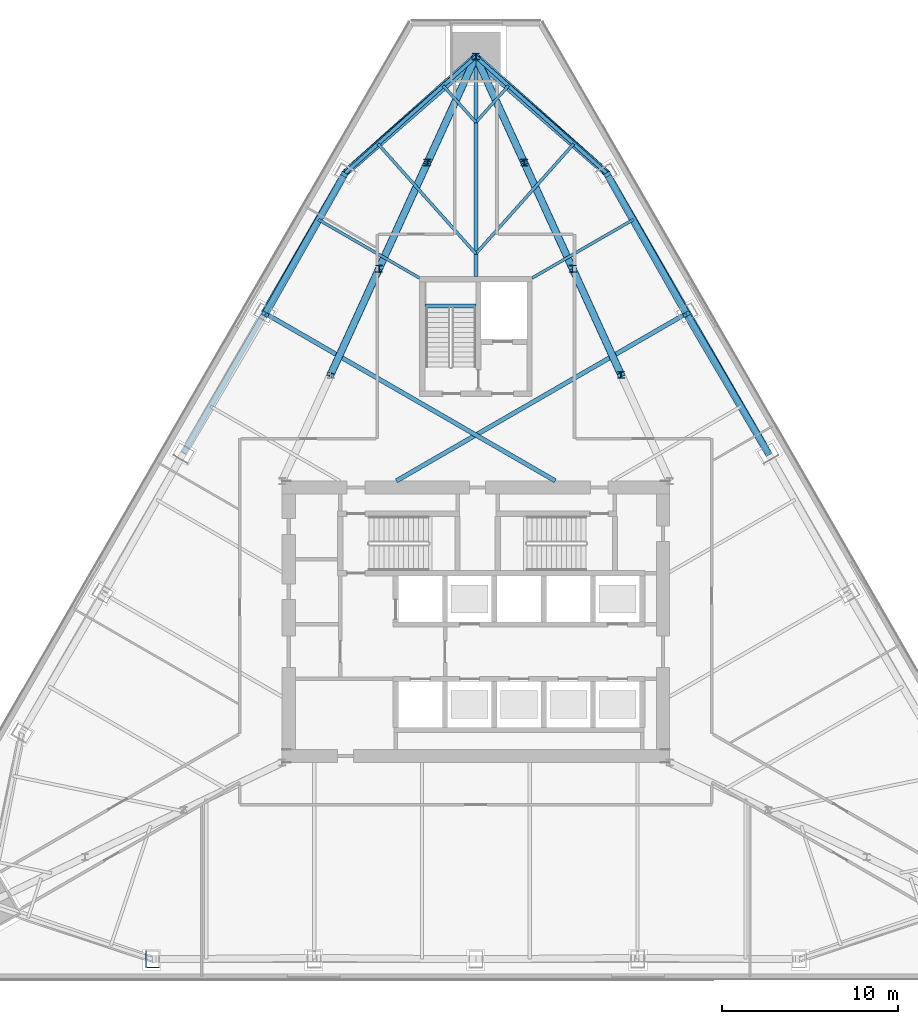
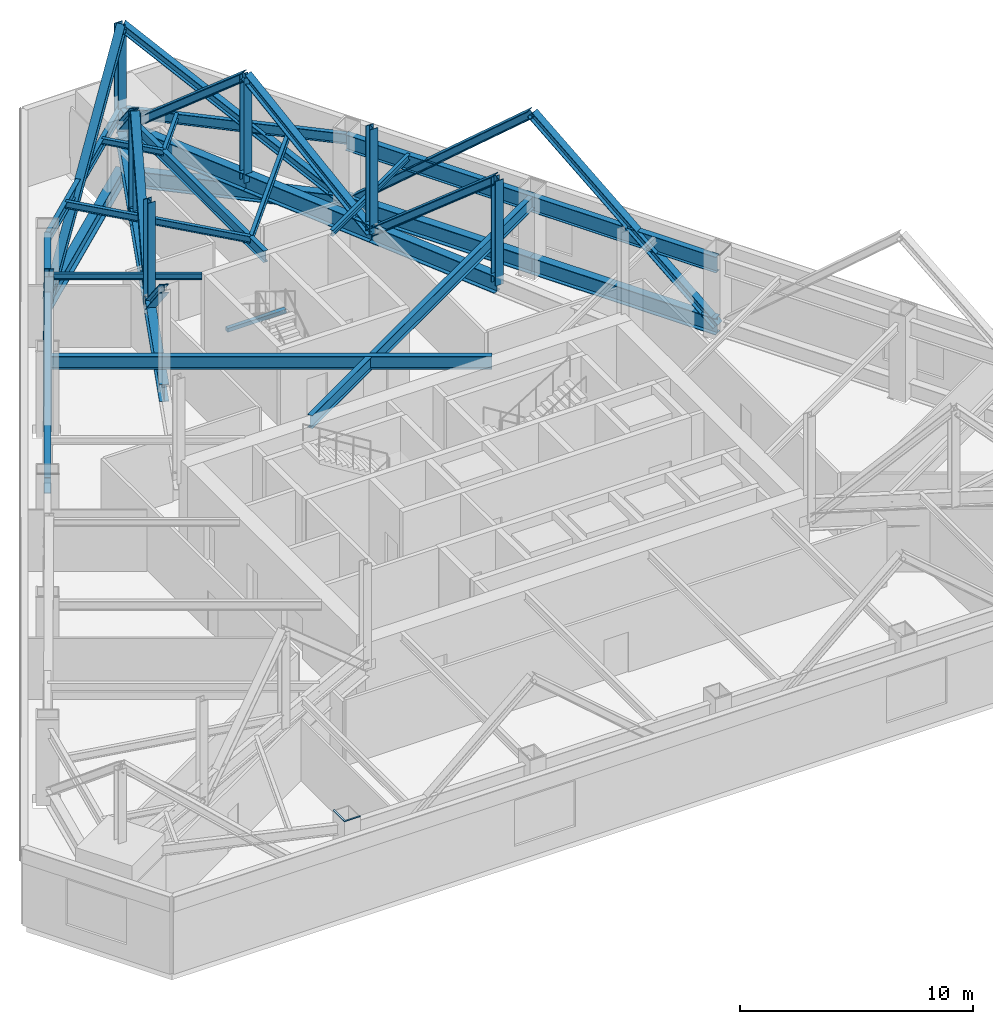
# One storey, part 4 of 13: 28 members, 14 beams, 1 plate.
"""IFC4 building model written with IfcOpenShell, lengths in metres."""

from ifc_helpers import new_model, si_unit, direction, frame, origin, origin_2d, place, context, subcontext, project, spatial, polyline, rectangle, i_section, outline, extrude, material, layer, layer_set, material_profile, profile_set, type_object, element, save


model = new_model("IFC4")

# Units and contexts
model_context = context("Model", 3, precision=1e-05, world=origin(), true_north=direction((0.0, 1.0)))
body_context = subcontext(model_context, "Body", "Model", "MODEL_VIEW")
ifc_project = project(units=[si_unit("LENGTHUNIT", "METRE"), si_unit("AREAUNIT", "SQUARE_METRE"), si_unit("VOLUMEUNIT", "CUBIC_METRE"), si_unit("PLANEANGLEUNIT", "RADIAN"), si_unit("MASSUNIT", "GRAM", prefix="KILO")], contexts=[model_context])

# Site, building, storey
site_placement = place(None, origin())
site = spatial("IfcSite", under=ifc_project, at=site_placement, CompositionType="ELEMENT")
building_placement = place(site_placement, origin())
building = spatial("IfcBuilding", under=site, at=building_placement, Name="Firuza Gate Tower and Library", CompositionType="ELEMENT")
storey_placement = place(building_placement, frame((0.0, 0.0, 146.800048828125)))
storey = spatial("IfcBuildingStorey", under=building, at=storey_placement, Name="L33", CompositionType="ELEMENT", Elevation=146.800048828125)

# Beams
ifc_material_1 = material(Name="Concrete C35/45", Category="concrete")
ifc_material_profile_1 = material_profile(ifc_material_1, rectangle(XDim=0.199951171875, YDim=0.199951171875, at=origin_2d()))
ifc_profile_set_1 = profile_set([ifc_material_profile_1], Name="Concrete C35/45")
beam_type_1 = type_object("IfcBeamType", Name="Stair landing bearer 200x200", PredefinedType="BEAM", material=ifc_profile_set_1)
beam_1_placement = place(storey_placement, frame((75.0, 92.929931640625, 1.949951171875), z_axis=(-1.0, 0.0, 0.0), x_axis=(0.0, -1.0, 0.0)))
element("IfcBeam", 1, at=beam_1_placement, inside=storey, type_object=beam_type_1, Name="Landing bearer L33 stair 3", PredefinedType="BEAM", context=body_context, shape_type="SweptSolid", body=[
    extrude(rectangle(XDim=0.199951171875, YDim=0.199951171875, at=origin_2d()), origin(), (0.0, 0.0, 1.0), 2.89990234375),
])
ifc_material_2 = material(Name="Steel S355", Category="steel")
ifc_material_profile_2 = material_profile(ifc_material_2, i_section(OverallWidth=0.1650390625, OverallDepth=0.31005859375, WebThickness=0.005859375, FlangeThickness=0.009765625, at=origin_2d()))
ifc_profile_set_2 = profile_set([ifc_material_profile_2], Name="Steel S355")
beam_type_2 = type_object("IfcBeamType", Name="W310x39 Floor beam", PredefinedType="JOIST", material=ifc_profile_set_2)
beam_2_placement = place(storey_placement, frame((83.94287109375, 97.83642578125, 3.89501953125), z_axis=(-0.866025569295, -0.499999713327, 0.0), x_axis=(0.499999713327, -0.866025569295, 0.0)))
element("IfcBeam", 2, at=beam_2_placement, inside=storey, type_object=beam_type_2, Name="Floor beam L33 s55", PredefinedType="JOIST", context=body_context, shape_type="SweptSolid", body=[
    extrude(i_section(OverallWidth=0.1650390625, OverallDepth=0.31005859375, WebThickness=0.005859375, FlangeThickness=0.009765625, at=origin_2d()), origin(), (0.0, 0.0, 1.0), 6.63134765625),
])
for number, where, z_axis, x_axis, name in (
    (3, (76.85302734375, 105.439697265625, 3.89501953125), (-0.665179391482, -0.746683585696, 0.0), (0.746683585696, -0.665179391482, 0.0), "Floor beam L33 s61"),
    (4, (73.14697265625, 105.439697265625, 3.89501953125), (0.665179391482, -0.746683585696, 0.0), (0.746683585696, 0.665179391482, 0.0), "Floor beam L33 s70"),
):
    element("IfcBeam", number, at=place(storey_placement, frame(where, z_axis=z_axis, x_axis=x_axis)), inside=storey, type_object=beam_type_2, Name=name, PredefinedType="JOIST", context=body_context, shape_type="SweptSolid", body=[
        extrude(i_section(OverallWidth=0.1650390625, OverallDepth=0.31005859375, WebThickness=0.005859375, FlangeThickness=0.009765625, at=origin_2d()), origin(), (0.0, 0.0, 1.0), 2.78564453125),
    ])
beam_3_placement = place(storey_placement, frame((66.05712890625, 97.83642578125, 3.89501953125), z_axis=(0.866025569295, -0.499999713327, 0.0), x_axis=(0.499999713327, 0.866025569295, 0.0)))
element("IfcBeam", 5, at=beam_3_placement, inside=storey, type_object=beam_type_2, Name="Floor beam L33 s80", PredefinedType="JOIST", context=body_context, shape_type="SweptSolid", body=[
    extrude(i_section(OverallWidth=0.1650390625, OverallDepth=0.31005859375, WebThickness=0.005859375, FlangeThickness=0.009765625, at=origin_2d()), origin(), (0.0, 0.0, 1.0), 6.63134765625),
])

# Members
ifc_material_3 = material(Name="Steel S355", Category="steel")
ifc_material_profile_3 = material_profile(ifc_material_3, i_section(OverallWidth=0.39404296875, OverallDepth=0.375, WebThickness=0.017333984375, FlangeThickness=0.027587890625, at=origin_2d()))
ifc_profile_set_3 = profile_set([ifc_material_profile_3], Name="Steel S355")
member_type_1 = type_object("IfcMemberType", Name="W360x216 Belt truss diagonal", PredefinedType="BRACE", material=ifc_profile_set_3)
member_1_placement = place(storey_placement, frame((91.595458984375, 84.58154296875, 0.427490234375), z_axis=(-0.382539363016, 0.650667648759, 0.655968937223), x_axis=(-0.862053645158, -0.506817040824, 0.0)))
element("IfcMember", 6, at=member_1_placement, inside=storey, type_object=member_type_1, Name="Belt truss diagonal L33 11", PredefinedType="BRACE", context=body_context, shape_type="SweptSolid", body=[
    extrude(i_section(OverallWidth=0.39404296875, OverallDepth=0.375, WebThickness=0.017333984375, FlangeThickness=0.027587890625, at=origin_2d()), origin(), (0.0, 0.0, 1.0), 12.112060546875),
])
member_2_placement = place(storey_placement, frame((86.962158203125, 92.46240234375, 8.37255859375), z_axis=(-0.373704138782, 0.659155867455, -0.652578546274), x_axis=(-0.869918867887, -0.493194853273, 0.0)))
element("IfcMember", 7, at=member_2_placement, inside=storey, type_object=member_type_1, Name="Belt truss diagonal L33 12", PredefinedType="BRACE", context=body_context, shape_type="SweptSolid", body=[
    extrude(i_section(OverallWidth=0.39404296875, OverallDepth=0.375, WebThickness=0.017333984375, FlangeThickness=0.027587890625, at=origin_2d()), origin(), (0.0, 0.0, 1.0), 12.1748046875),
])
for number, where, z_axis, x_axis, name in (
    (8, (82.412353515625, 100.487548828125, 0.427490234375), (-0.58640263171, 0.510941511124, 0.628546518353), (-0.656929685343, -0.753951847611, 0.0), "Belt truss diagonal L33 13"),
    (9, (75.0, 106.946044921875, 8.37255859375), (-0.58640263171, -0.510941511124, -0.628546518353), (0.656929685343, -0.753951847611, 0.0), "Belt truss diagonal L33 14"),
):
    element("IfcMember", number, at=place(storey_placement, frame(where, z_axis=z_axis, x_axis=x_axis)), inside=storey, type_object=member_type_1, Name=name, PredefinedType="BRACE", context=body_context, shape_type="SweptSolid", body=[
        extrude(i_section(OverallWidth=0.39404296875, OverallDepth=0.375, WebThickness=0.017333984375, FlangeThickness=0.027587890625, at=origin_2d()), origin(), (0.0, 0.0, 1.0), 12.640380859375),
    ])
member_3_placement = place(storey_placement, frame((67.587646484375, 100.487548828125, 0.427490234375), z_axis=(-0.373704138782, -0.659155867455, 0.652578546274), x_axis=(0.869918867887, -0.493194853273, 0.0)))
element("IfcMember", 10, at=member_3_placement, inside=storey, type_object=member_type_1, Name="Belt truss diagonal L33 15", PredefinedType="BRACE", context=body_context, shape_type="SweptSolid", body=[
    extrude(i_section(OverallWidth=0.39404296875, OverallDepth=0.375, WebThickness=0.017333984375, FlangeThickness=0.027587890625, at=origin_2d()), origin(), (0.0, 0.0, 1.0), 12.1748046875),
])
ifc_material_4 = material(Name="Steel S355", Category="steel")
ifc_material_profile_4 = material_profile(ifc_material_4, i_section(OverallWidth=0.39404296875, OverallDepth=0.375, WebThickness=0.017333984375, FlangeThickness=0.027587890625, at=origin_2d()))
ifc_profile_set_4 = profile_set([ifc_material_profile_4], Name="Steel S355")
member_type_2 = type_object("IfcMemberType", Name="W360x216 Outrigger post", PredefinedType="POST", material=ifc_profile_set_4)
for number, where, z_axis, x_axis, name in (
    (11, (69.5, 95.045166015625, 2.85595703125), (0.0, 0.0, 1.0), (1.0, 0.0, 0.0), "Outrigger NW L33 post 3"),
    (12, (72.25, 101.06787109375, 2.85595703125), (0.0, 0.0, 1.0), (1.0, 0.0, 0.0), "Outrigger NW L33 post 4"),
    (13, (75.0, 107.090576171875, 2.85595703125), (0.0, 0.0, 1.0), (1.0, 0.0, 0.0), "Outrigger NW L33 post 5"),
    (14, (83.25, 89.022705078125, 2.85595703125), (0.0, 0.0, 1.0), (1.0, 0.0, 0.0), "Outrigger NE L33 post 2"),
    (15, (80.5, 95.045166015625, 2.85595703125), (0.0, 0.0, 1.0), (1.0, 0.0, 0.0), "Outrigger NE L33 post 3"),
    (16, (77.75, 101.06787109375, 2.85595703125), (0.0, 0.0, 1.0), (1.0, 0.0, 0.0), "Outrigger NE L33 post 4"),
):
    element("IfcMember", number, at=place(storey_placement, frame(where, z_axis=z_axis, x_axis=x_axis)), inside=storey, type_object=member_type_2, Name=name, PredefinedType="POST", context=body_context, shape_type="SweptSolid", body=[
        extrude(i_section(OverallWidth=0.39404296875, OverallDepth=0.375, WebThickness=0.017333984375, FlangeThickness=0.027587890625, at=origin_2d()), origin(), (0.0, 0.0, 1.0), 5.488037109375),
    ])
ifc_material_5 = material(Name="Steel S355", Category="steel")
ifc_material_profile_5 = material_profile(ifc_material_5, i_section(OverallWidth=0.39794921875, OverallDepth=0.386962890625, WebThickness=0.02099609375, FlangeThickness=0.033203125, at=origin_2d()))
ifc_profile_set_5 = profile_set([ifc_material_profile_5], Name="Steel S355")
member_type_3 = type_object("IfcMemberType", Name="W360x262 Outrigger diagonal", PredefinedType="BRACE", material=ifc_profile_set_5)
member_4_placement = place(storey_placement, frame((66.75, 89.022705078125, 8.343994140625), z_axis=(0.319786711239, 0.700328355188, -0.638182304859), x_axis=(-0.909652869786, 0.415369301333, 0.0)))
element("IfcMember", 17, at=member_4_placement, inside=storey, type_object=member_type_3, Name="Outrigger NW L33 diagonal 2", PredefinedType="BRACE", context=body_context, shape_type="SweptSolid", body=[
    extrude(i_section(OverallWidth=0.39794921875, OverallDepth=0.386962890625, WebThickness=0.02099609375, FlangeThickness=0.033203125, at=origin_2d()), origin(), (0.0, 0.0, 1.0), 8.599365234375),
])
for number, where, z_axis, x_axis, name in (
    (18, (69.5, 95.045166015625, 2.85595703125), (0.319780353162, 0.700342820682, 0.638169616365), (-0.909659231713, 0.41535536852, 0.0), "Outrigger NW L33 diagonal 3"),
    (19, (72.25, 101.06787109375, 8.343994140625), (0.319780353162, 0.700342820682, -0.638169616365), (-0.909659231713, 0.41535536852, 0.0), "Outrigger NW L33 diagonal 4"),
):
    element("IfcMember", number, at=place(storey_placement, frame(where, z_axis=z_axis, x_axis=x_axis)), inside=storey, type_object=member_type_3, Name=name, PredefinedType="BRACE", context=body_context, shape_type="SweptSolid", body=[
        extrude(i_section(OverallWidth=0.39794921875, OverallDepth=0.386962890625, WebThickness=0.02099609375, FlangeThickness=0.033203125, at=origin_2d()), origin(), (0.0, 0.0, 1.0), 8.599609375),
    ])
member_5_placement = place(storey_placement, frame((83.25, 89.022705078125, 8.343994140625), z_axis=(-0.319786711239, 0.700328355188, -0.638182304859), x_axis=(-0.909652869786, -0.415369301333, 0.0)))
element("IfcMember", 20, at=member_5_placement, inside=storey, type_object=member_type_3, Name="Outrigger NE L33 diagonal 2", PredefinedType="BRACE", context=body_context, shape_type="SweptSolid", body=[
    extrude(i_section(OverallWidth=0.39794921875, OverallDepth=0.386962890625, WebThickness=0.02099609375, FlangeThickness=0.033203125, at=origin_2d()), origin(), (0.0, 0.0, 1.0), 8.599365234375),
])
for number, where, z_axis, x_axis, name in (
    (21, (80.5, 95.045166015625, 2.85595703125), (-0.319780353162, 0.700342820682, 0.638169616365), (-0.909659231713, -0.41535536852, 0.0), "Outrigger NE L33 diagonal 3"),
    (22, (77.75, 101.06787109375, 8.343994140625), (-0.319780353162, 0.700342820682, -0.638169616365), (-0.909659231713, -0.41535536852, 0.0), "Outrigger NE L33 diagonal 4"),
):
    element("IfcMember", number, at=place(storey_placement, frame(where, z_axis=z_axis, x_axis=x_axis)), inside=storey, type_object=member_type_3, Name=name, PredefinedType="BRACE", context=body_context, shape_type="SweptSolid", body=[
        extrude(i_section(OverallWidth=0.39794921875, OverallDepth=0.386962890625, WebThickness=0.02099609375, FlangeThickness=0.033203125, at=origin_2d()), origin(), (0.0, 0.0, 1.0), 8.599609375),
    ])

# Beams
ifc_material_6 = material(Name="Steel S355", Category="steel")
ifc_material_profile_6 = material_profile(ifc_material_6, i_section(OverallWidth=0.1708984375, OverallDepth=0.35498046875, WebThickness=0.007080078125, FlangeThickness=0.01171875, at=origin_2d()))
ifc_profile_set_6 = profile_set([ifc_material_profile_6], Name="Steel S355")
beam_type_3 = type_object("IfcBeamType", Name="W360x51 Floor beam", PredefinedType="JOIST", material=ifc_profile_set_6)
for number, where, z_axis, x_axis, name in (
    (23, (80.55908203125, 102.13818359375, 3.87255859375), (-0.665164882217, -0.74669651095, 0.0), (0.74669651095, -0.665164882217, 0.0), "Floor beam L33 s60"),
    (24, (69.44091796875, 102.13818359375, 3.87255859375), (0.665164882217, -0.74669651095, 0.0), (0.74669651095, 0.665164882217, 0.0), "Floor beam L33 s71"),
):
    element("IfcBeam", number, at=place(storey_placement, frame(where, z_axis=z_axis, x_axis=x_axis)), inside=storey, type_object=beam_type_3, Name=name, PredefinedType="JOIST", context=body_context, shape_type="SweptSolid", body=[
        extrude(i_section(OverallWidth=0.1708984375, OverallDepth=0.35498046875, WebThickness=0.007080078125, FlangeThickness=0.01171875, at=origin_2d()), origin(), (0.0, 0.0, 1.0), 8.357421875),
    ])
ifc_material_7 = material(Name="Steel S355", Category="steel")
ifc_material_profile_7 = material_profile(ifc_material_7, i_section(OverallWidth=0.212890625, OverallDepth=0.5390625, WebThickness=0.01171875, FlangeThickness=0.018798828125, at=origin_2d()))
ifc_profile_set_7 = profile_set([ifc_material_profile_7], Name="Steel S355")
beam_type_4 = type_object("IfcBeamType", Name="W530x109 Edge beam", PredefinedType="SPANDREL", material=ifc_profile_set_7)
for number, where, z_axis, x_axis, name in (
    (25, (82.412353515625, 100.487548828125, 3.780517578125), (-0.746695155669, 0.665166403617, 0.0), (-0.665166403617, -0.746695155669, 0.0), "Edge beam L33 e60"),
    (26, (75.0, 107.090576171875, 3.780517578125), (-0.746695155669, -0.665166403617, 0.0), (0.665166403617, -0.746695155669, 0.0), "Edge beam L33 e70"),
):
    element("IfcBeam", number, at=place(storey_placement, frame(where, z_axis=z_axis, x_axis=x_axis)), inside=storey, type_object=beam_type_4, Name=name, PredefinedType="SPANDREL", context=body_context, shape_type="SweptSolid", body=[
        extrude(i_section(OverallWidth=0.212890625, OverallDepth=0.5390625, WebThickness=0.01171875, FlangeThickness=0.018798828125, at=origin_2d()), origin(), (0.0, 0.0, 1.0), 9.927001953125),
    ])
ifc_material_8 = material(Name="Steel S355", Category="steel")
ifc_material_profile_8 = material_profile(ifc_material_8, i_section(OverallWidth=0.22802734375, OverallDepth=0.60302734375, WebThickness=0.010498046875, FlangeThickness=0.014892578125, at=origin_2d()))
ifc_profile_set_8 = profile_set([ifc_material_profile_8], Name="Steel S355")
beam_type_5 = type_object("IfcBeamType", Name="W610x101 Girder", PredefinedType="BEAM", material=ifc_profile_set_8)
beam_4_placement = place(storey_placement, frame((75.0, 107.090576171875, 3.74853515625), z_axis=(0.0, -1.0, 0.0), x_axis=(1.0, 0.0, 0.0)))
element("IfcBeam", 27, at=beam_4_placement, inside=storey, type_object=beam_type_5, Name="Girder L33 gN", PredefinedType="BEAM", context=body_context, shape_type="SweptSolid", body=[
    extrude(i_section(OverallWidth=0.22802734375, OverallDepth=0.60302734375, WebThickness=0.010498046875, FlangeThickness=0.014892578125, at=origin_2d()), origin(), (0.0, 0.0, 1.0), 12.490478515625),
])
ifc_material_9 = material(Name="Steel S355", Category="steel")
ifc_material_profile_9 = material_profile(ifc_material_9, i_section(OverallWidth=0.2529296875, OverallDepth=0.677978515625, WebThickness=0.01171875, FlangeThickness=0.016357421875, at=origin_2d()))
ifc_profile_set_9 = profile_set([ifc_material_profile_9], Name="Steel S355")
beam_type_6 = type_object("IfcBeamType", Name="W690x125 Floor beam", PredefinedType="JOIST", material=ifc_profile_set_9)
for number, where, z_axis, x_axis, name in (
    (28, (87.00390625, 92.534423828125, 3.7109375), (-0.866026107351, -0.499998781384, 0.0), (0.499998781384, -0.866026107351, 0.0), "Floor beam L33 s54"),
    (29, (62.99609375, 92.534423828125, 3.7109375), (0.866026107351, -0.499998781384, 0.0), (0.499998781384, 0.866026107351, 0.0), "Floor beam L33 s81"),
):
    element("IfcBeam", number, at=place(storey_placement, frame(where, z_axis=z_axis, x_axis=x_axis)), inside=storey, type_object=beam_type_6, Name=name, PredefinedType="JOIST", context=body_context, shape_type="SweptSolid", body=[
        extrude(i_section(OverallWidth=0.2529296875, OverallDepth=0.677978515625, WebThickness=0.01171875, FlangeThickness=0.016357421875, at=origin_2d()), origin(), (0.0, 0.0, 1.0), 19.06884765625),
    ])
ifc_material_10 = material(Name="Steel S355", Category="steel")
ifc_material_profile_10 = material_profile(ifc_material_10, i_section(OverallWidth=0.2919921875, OverallDepth=0.8349609375, WebThickness=0.013916015625, FlangeThickness=0.018798828125, at=origin_2d()))
ifc_profile_set_10 = profile_set([ifc_material_profile_10], Name="Steel S355")
beam_type_7 = type_object("IfcBeamType", Name="W840x176 Edge beam", PredefinedType="SPANDREL", material=ifc_profile_set_10)
for number, where, z_axis, x_axis, name in (
    (30, (91.595458984375, 84.58154296875, 3.632568359375), (-0.499990554982, 0.866030856799, 0.0), (-0.866030856799, -0.499990554982, 0.0), "Edge beam L33 e52"),
    (31, (67.587646484375, 100.487548828125, 3.632568359375), (-0.499990554982, -0.866030856799, 0.0), (0.866030856799, -0.499990554982, 0.0), "Edge beam L33 e80"),
):
    element("IfcBeam", number, at=place(storey_placement, frame(where, z_axis=z_axis, x_axis=x_axis)), inside=storey, type_object=beam_type_7, Name=name, PredefinedType="SPANDREL", context=body_context, shape_type="SweptSolid", body=[
        extrude(i_section(OverallWidth=0.2919921875, OverallDepth=0.8349609375, WebThickness=0.013916015625, FlangeThickness=0.018798828125, at=origin_2d()), origin(), (0.0, 0.0, 1.0), 18.366455078125),
    ])

# Members
ifc_material_11 = material(Name="Steel S355", Category="steel")
ifc_material_profile_11 = material_profile(ifc_material_11, i_section(OverallWidth=0.39990234375, OverallDepth=0.85498046875, WebThickness=0.018310546875, FlangeThickness=0.029296875, at=origin_2d()))
ifc_profile_set_11 = profile_set([ifc_material_profile_11], Name="Steel S355")
member_type_4 = type_object("IfcMemberType", Name="W840x299 Belt truss chord", PredefinedType="CHORD", material=ifc_profile_set_11)
member_6_placement = place(storey_placement, frame((91.595458984375, 84.58154296875, 0.427490234375), z_axis=(-0.499996310861, 0.8660275337, 0.0), x_axis=(-0.8660275337, -0.499996310861, 0.0)))
element("IfcMember", 32, at=member_6_placement, inside=storey, type_object=member_type_4, Name="Belt truss bottom chord L33 11", PredefinedType="CHORD", context=body_context, shape_type="SweptSolid", body=[
    extrude(i_section(OverallWidth=0.39990234375, OverallDepth=0.85498046875, WebThickness=0.018310546875, FlangeThickness=0.029296875, at=origin_2d()), origin(), (0.0, 0.0, 1.0), 9.18310546875),
])
member_7_placement = place(storey_placement, frame((87.00390625, 92.534423828125, 0.427490234375), z_axis=(-0.499984799214, 0.866034179784, 0.0), x_axis=(-0.866034179784, -0.499984799214, 0.0)))
element("IfcMember", 33, at=member_7_placement, inside=storey, type_object=member_type_4, Name="Belt truss bottom chord L33 12", PredefinedType="CHORD", context=body_context, shape_type="SweptSolid", body=[
    extrude(i_section(OverallWidth=0.39990234375, OverallDepth=0.85498046875, WebThickness=0.018310546875, FlangeThickness=0.029296875, at=origin_2d()), origin(), (0.0, 0.0, 1.0), 9.183349609375),
])
for number, where, z_axis, x_axis, name in (
    (34, (82.412353515625, 100.487548828125, 0.427490234375), (-0.746695155669, 0.665166403617, 0.0), (-0.665166403617, -0.746695155669, 0.0), "Belt truss bottom chord L33 13"),
    (35, (75.0, 107.090576171875, 0.427490234375), (-0.746695155669, -0.665166403617, 0.0), (0.665166403617, -0.746695155669, 0.0), "Belt truss bottom chord L33 14"),
):
    element("IfcMember", number, at=place(storey_placement, frame(where, z_axis=z_axis, x_axis=x_axis)), inside=storey, type_object=member_type_4, Name=name, PredefinedType="CHORD", context=body_context, shape_type="SweptSolid", body=[
        extrude(i_section(OverallWidth=0.39990234375, OverallDepth=0.85498046875, WebThickness=0.018310546875, FlangeThickness=0.029296875, at=origin_2d()), origin(), (0.0, 0.0, 1.0), 9.927001953125),
    ])
member_8_placement = place(storey_placement, frame((67.587646484375, 100.487548828125, 0.427490234375), z_axis=(-0.499984799214, -0.866034179784, 0.0), x_axis=(0.866034179784, -0.499984799214, 0.0)))
element("IfcMember", 36, at=member_8_placement, inside=storey, type_object=member_type_4, Name="Belt truss bottom chord L33 15", PredefinedType="CHORD", context=body_context, shape_type="SweptSolid", body=[
    extrude(i_section(OverallWidth=0.39990234375, OverallDepth=0.85498046875, WebThickness=0.018310546875, FlangeThickness=0.029296875, at=origin_2d()), origin(), (0.0, 0.0, 1.0), 9.183349609375),
])
ifc_material_12 = material(Name="Steel S355", Category="steel")
ifc_material_profile_12 = material_profile(ifc_material_12, i_section(OverallWidth=0.41796875, OverallDepth=0.912109375, WebThickness=0.019287109375, FlangeThickness=0.031982421875, at=origin_2d()))
ifc_profile_set_12 = profile_set([ifc_material_profile_12], Name="Steel S355")
member_type_5 = type_object("IfcMemberType", Name="W920x342 Outrigger chord", PredefinedType="CHORD", material=ifc_profile_set_12)
member_9_placement = place(storey_placement, frame((66.75, 89.022705078125, 2.85595703125), z_axis=(0.415369301333, 0.909652869786, 0.0), x_axis=(-0.909652869786, 0.415369301333, 0.0)))
element("IfcMember", 37, at=member_9_placement, inside=storey, type_object=member_type_5, Name="Outrigger NW L33 bottom chord 2", PredefinedType="CHORD", context=body_context, shape_type="SweptSolid", body=[
    extrude(i_section(OverallWidth=0.41796875, OverallDepth=0.912109375, WebThickness=0.019287109375, FlangeThickness=0.031982421875, at=origin_2d()), origin(), (0.0, 0.0, 1.0), 6.62060546875),
])
for number, where, z_axis, x_axis, name in (
    (38, (69.5, 95.045166015625, 2.85595703125), (0.41535536852, 0.909659231713, 0.0), (-0.909659231713, 0.41535536852, 0.0), "Outrigger NW L33 bottom chord 3"),
    (39, (72.25, 101.06787109375, 2.85595703125), (0.41535536852, 0.909659231713, 0.0), (-0.909659231713, 0.41535536852, 0.0), "Outrigger NW L33 bottom chord 4"),
):
    element("IfcMember", number, at=place(storey_placement, frame(where, z_axis=z_axis, x_axis=x_axis)), inside=storey, type_object=member_type_5, Name=name, PredefinedType="CHORD", context=body_context, shape_type="SweptSolid", body=[
        extrude(i_section(OverallWidth=0.41796875, OverallDepth=0.912109375, WebThickness=0.019287109375, FlangeThickness=0.031982421875, at=origin_2d()), origin(), (0.0, 0.0, 1.0), 6.620849609375),
    ])
member_10_placement = place(storey_placement, frame((83.25, 89.022705078125, 2.85595703125), z_axis=(-0.415369301333, 0.909652869786, 0.0), x_axis=(-0.909652869786, -0.415369301333, 0.0)))
element("IfcMember", 40, at=member_10_placement, inside=storey, type_object=member_type_5, Name="Outrigger NE L33 bottom chord 2", PredefinedType="CHORD", context=body_context, shape_type="SweptSolid", body=[
    extrude(i_section(OverallWidth=0.41796875, OverallDepth=0.912109375, WebThickness=0.019287109375, FlangeThickness=0.031982421875, at=origin_2d()), origin(), (0.0, 0.0, 1.0), 6.62060546875),
])
for number, where, z_axis, x_axis, name in (
    (41, (80.5, 95.045166015625, 2.85595703125), (-0.41535536852, 0.909659231713, 0.0), (-0.909659231713, -0.41535536852, 0.0), "Outrigger NE L33 bottom chord 3"),
    (42, (77.75, 101.06787109375, 2.85595703125), (-0.41535536852, 0.909659231713, 0.0), (-0.909659231713, -0.41535536852, 0.0), "Outrigger NE L33 bottom chord 4"),
):
    element("IfcMember", number, at=place(storey_placement, frame(where, z_axis=z_axis, x_axis=x_axis)), inside=storey, type_object=member_type_5, Name=name, PredefinedType="CHORD", context=body_context, shape_type="SweptSolid", body=[
        extrude(i_section(OverallWidth=0.41796875, OverallDepth=0.912109375, WebThickness=0.019287109375, FlangeThickness=0.031982421875, at=origin_2d()), origin(), (0.0, 0.0, 1.0), 6.620849609375),
    ])

# Plate
ifc_material_13 = material(Name="Steel S355", Category="steel")
ifc_layer = layer(ifc_material_13, 0.030029296875)
ifc_layer_set = layer_set([ifc_layer], Name="Column infill plate 30 Steel S355")
plate_type = type_object("IfcPlateType", Name="Column infill plate 30 Steel S355", PredefinedType="SHEET", material=ifc_layer_set)
plate_placement = place(storey_placement, frame((0.0, 0.0, 4.5)))
element("IfcPlate", 43, at=plate_placement, inside=storey, type_object=plate_type, Name="Infill plate L33:S1", PredefinedType="SHEET", context=body_context, shape_type="SweptSolid", body=[
    extrude(outline(polyline([(57.033447265625, 55.337158203125), (57.033447265625, 55.4091796875), (56.316650390625, 55.4091796875), (56.316650390625, 56.337158203125), (56.2333984375, 56.337158203125), (56.2333984375, 55.337158203125), (57.033447265625, 55.337158203125)])), origin(), (0.0, 0.0, 1.0), 0.030029296875),
])

save(model, "model.ifc")
